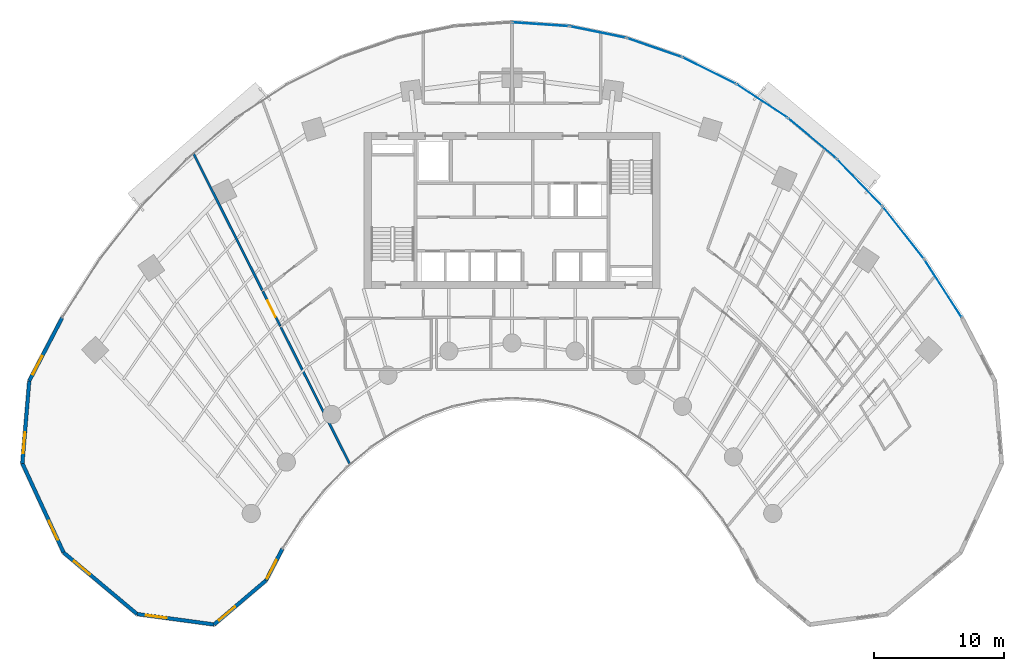
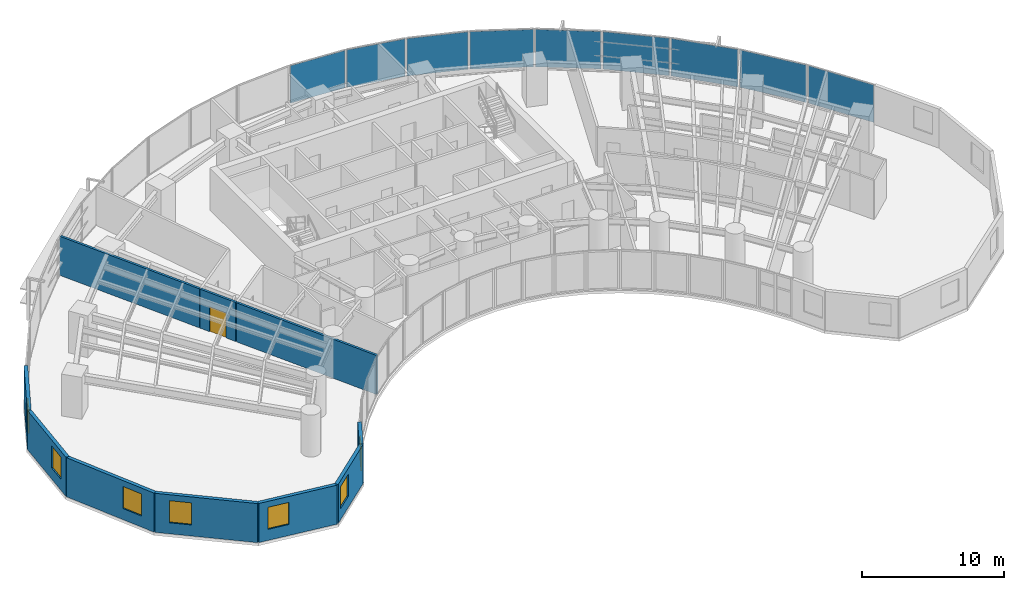
# One storey, part 10 of 17: 10 walls, 9 plates, 7 windows, 1 door, 8 openings, 9 elements without a shape of their own.
"""IFC4 building model written with IfcOpenShell, lengths in metres."""

import ifcopenshell
import ifcopenshell.guid

model = None  # the IFC model being written
_history = None  # IfcOwnerHistory: only IFC2X3 demands one
_inside = {}  # id of a spatial element -> (the spatial element, [elements in it])
_under = {}  # id of a project, library or spatial element -> (it, [spatial elements below it])
_declared = {}  # id of a project -> (the project, [libraries it declares])
_typed = {}  # id of a type object -> (the type object, [elements of that type])
_made_of = {}  # id of a material, layer set ... -> (it, [elements and type objects made of it])


def new_model(schema):
    """Start an empty IFC model of exactly this schema.

    Asked for "IFC4X3", IfcOpenShell would pick the latest addendum, in which some entities
    have other attributes; the version numbers below select the first issue.
    IFC2X3 requires an IfcOwnerHistory on every rooted entity: one is made here for all.
    """
    global model, _history
    if schema == "IFC4X3":
        model = ifcopenshell.file(schema_version=(4, 3, 0, 0))
    else:
        model = ifcopenshell.file(schema=schema)
    _inside.clear()
    _under.clear()
    _declared.clear()
    _typed.clear()
    _made_of.clear()
    _history = None
    if model.schema == "IFC2X3":
        org = make("IfcOrganization", Name="unknown")
        user = make(
            "IfcPersonAndOrganization",
            ThePerson=make("IfcPerson", FamilyName="unknown"),
            TheOrganization=org,
        )
        app = make(
            "IfcApplication",
            ApplicationDeveloper=org,
            Version="unknown",
            ApplicationFullName="unknown",
            ApplicationIdentifier="unknown",
        )
        _history = make(
            "IfcOwnerHistory",
            OwningUser=user,
            OwningApplication=app,
            ChangeAction="ADDED",
            CreationDate=0,
        )
    return model


def make(cls, **values):
    """One entity of the class cls with the attributes given. An attribute that is None is left unset."""
    return model.create_entity(
        cls, **{name: value for name, value in values.items() if value is not None}
    )


def rooted(cls, **values):
    """An entity with a GlobalId (a new one), such as an element, a storey or a relation."""
    return make(cls, GlobalId=ifcopenshell.guid.new(), OwnerHistory=_history, **values)


def si_unit(unit_type, name, prefix=None):
    """IfcSIUnit, for example si_unit("LENGTHUNIT", "METRE", prefix="MILLI")."""
    return make("IfcSIUnit", UnitType=unit_type, Prefix=prefix, Name=name)


def assignment(units):
    """IfcUnitAssignment: the units of a project."""
    return None if units is None else make("IfcUnitAssignment", Units=units)


def point(xyz):
    """IfcCartesianPoint."""
    return None if xyz is None else make("IfcCartesianPoint", Coordinates=xyz)


def direction(xyz):
    """IfcDirection."""
    return None if xyz is None else make("IfcDirection", DirectionRatios=xyz)


def frame(location, z_axis=None, x_axis=None):
    """IfcAxis2Placement3D, a coordinate frame: its origin and axes. An axis left out is left unset."""
    return make(
        "IfcAxis2Placement3D",
        Location=point(location),
        Axis=direction(z_axis),
        RefDirection=direction(x_axis),
    )


def frame_2d(location, x_axis=None):
    """IfcAxis2Placement2D, a coordinate frame in the plane: its origin and x axis."""
    return make(
        "IfcAxis2Placement2D", Location=point(location), RefDirection=direction(x_axis)
    )


def origin():
    """The frame at (0, 0, 0) with its axes left unset."""
    return frame((0.0, 0.0, 0.0))


def origin_2d():
    """The frame at (0, 0) in the plane with its x axis left unset."""
    return frame_2d((0.0, 0.0))


def place(relative_to, where):
    """IfcLocalPlacement: puts the frame where relative to a parent placement (None: the world)."""
    return make(
        "IfcLocalPlacement", PlacementRelTo=relative_to, RelativePlacement=where
    )


def context(
    kind, dimensions, precision=None, world=None, true_north=None, identifier=None
):
    """IfcGeometricRepresentationContext, for example the 3D "Model" context."""
    return make(
        "IfcGeometricRepresentationContext",
        ContextIdentifier=identifier,
        ContextType=kind,
        CoordinateSpaceDimension=dimensions,
        Precision=precision,
        WorldCoordinateSystem=world,
        TrueNorth=true_north,
    )


def subcontext(parent, identifier, kind, view, scale=None):
    """IfcGeometricRepresentationSubContext, for example "Body" below "Model"."""
    return make(
        "IfcGeometricRepresentationSubContext",
        ContextIdentifier=identifier,
        ContextType=kind,
        ParentContext=parent,
        TargetScale=scale,
        TargetView=view,
    )


def project(units=None, contexts=None):
    """IfcProject with its units and contexts."""
    return rooted(
        "IfcProject",
        Name="project",
        RepresentationContexts=contexts,
        UnitsInContext=assignment(units),
    )


def spatial(cls, under=None, at=None, **own):
    """A site, building, storey or space (cls), placed at a placement, below another one or the project."""
    s = rooted(cls, ObjectPlacement=at, **own)
    if under is not None:
        _under.setdefault(under.id(), (under, []))[1].append(s)
    return s


def profile(cls, at=None, kind="AREA", **sizes):
    """A parametric profile (cls). Its sizes go by their IFC names, for example OverallWidth=200.0."""
    return make(cls, ProfileType=kind, Position=at, **sizes)


def rectangle(**sizes):
    """IfcRectangleProfileDef."""
    return profile("IfcRectangleProfileDef", **sizes)


def extrude(swept, where, along, depth):
    """IfcExtrudedAreaSolid: the profile swept, set in the frame where, extruded along a direction by depth."""
    return make(
        "IfcExtrudedAreaSolid",
        SweptArea=swept,
        Position=where,
        ExtrudedDirection=direction(along),
        Depth=depth,
    )


def shape(context_of_items, identifier, shape_type, items):
    """IfcShapeRepresentation: the items that make up one representation, for example the "Body"."""
    return make(
        "IfcShapeRepresentation",
        ContextOfItems=context_of_items,
        RepresentationIdentifier=identifier,
        RepresentationType=shape_type,
        Items=items,
    )


def source(mapping_origin, context_of_items, identifier, shape_type, items):
    """IfcRepresentationMap: a shape defined once, which mapped items show again and again."""
    return make(
        "IfcRepresentationMap",
        MappingOrigin=mapping_origin,
        MappedRepresentation=shape(context_of_items, identifier, shape_type, items),
    )


def transform(
    local_origin,
    x_axis=None,
    y_axis=None,
    z_axis=None,
    scale=None,
    scale2=None,
    scale3=None,
    uniform=True,
):
    """IfcCartesianTransformationOperator3D, or its non-uniform kind. x_axis, y_axis, z_axis: its Axis1, 2, 3."""
    if uniform:
        return make(
            "IfcCartesianTransformationOperator3D",
            Axis1=direction(x_axis),
            Axis2=direction(y_axis),
            LocalOrigin=point(local_origin),
            Scale=scale,
            Axis3=direction(z_axis),
        )
    return make(
        "IfcCartesianTransformationOperator3DnonUniform",
        Axis1=direction(x_axis),
        Axis2=direction(y_axis),
        LocalOrigin=point(local_origin),
        Scale=scale,
        Axis3=direction(z_axis),
        Scale2=scale2,
        Scale3=scale3,
    )


def mapped(mapping_source, mapping_target):
    """IfcMappedItem: shows the shape of a source again, moved by a transform."""
    return make(
        "IfcMappedItem", MappingSource=mapping_source, MappingTarget=mapping_target
    )


def material(Name=None, Category=None):
    """IfcMaterial."""
    return make("IfcMaterial", Name=Name, Category=Category)


def layer(
    of_material, thickness, ventilated=None, Name=None, Category=None, Priority=None
):
    """IfcMaterialLayer: one layer of a wall or slab, of a material (None: an air gap)."""
    return make(
        "IfcMaterialLayer",
        Material=of_material,
        LayerThickness=thickness,
        IsVentilated=ventilated,
        Name=Name,
        Category=Category,
        Priority=Priority,
    )


def layer_set(layers, Name=None):
    """IfcMaterialLayerSet."""
    return make("IfcMaterialLayerSet", MaterialLayers=layers, LayerSetName=Name)


def made_of(thing, what):
    """Note that an element or type object is made of a material, layer set ...; save() writes the relation."""
    if what is not None:
        _made_of.setdefault(what.id(), (what, []))[1].append(thing)
    return thing


def type_object(cls, material=None, **own):
    """A type object (cls), such as IfcWallType, which elements share."""
    return made_of(rooted(cls, **own), material)


def type_shapes(of_type, sources):
    """Give a type object the sources (RepresentationMaps) that its elements show as mapped items."""
    of_type.RepresentationMaps = sources


def element(
    cls,
    number,
    at=None,
    inside=None,
    cuts=None,
    type_object=None,
    material=None,
    context=None,
    identifier="Body",
    shape_type=None,
    held_by="IfcProductDefinitionShape",
    body=None,
    shapes=None,
    **own,
):
    """One element of the class cls, such as IfcWall. Its Tag is "e" and its number.

    at: its placement. inside: the storey or other place that contains it. cuts: it is an
    opening in that element (IfcRelVoidsElement). A single representation is given by context,
    identifier, shape_type and body (its items); several are given by shapes. held_by: the class
    of the entity that holds the representations. save() writes the other relations.
    """
    e = rooted(cls, Tag="e%d" % number, ObjectPlacement=at, **own)
    if body is not None:
        shapes = [shape(context, identifier, shape_type, body)]
    if shapes is not None:
        e.Representation = make(held_by, Representations=shapes)
    if inside is not None:
        _inside.setdefault(inside.id(), (inside, []))[1].append(e)
    if cuts is not None:
        rooted(
            "IfcRelVoidsElement", RelatingBuildingElement=cuts, RelatedOpeningElement=e
        )
    if type_object is not None:
        _typed.setdefault(type_object.id(), (type_object, []))[1].append(e)
    return made_of(e, material)


def fill(opening, filler):
    """IfcRelFillsElement: the door or window that sits in an opening."""
    return rooted(
        "IfcRelFillsElement",
        RelatingOpeningElement=opening,
        RelatedBuildingElement=filler,
    )


def aggregate(whole, parts):
    """IfcRelAggregates: a whole, such as a stair, and the parts it consists of."""
    return rooted("IfcRelAggregates", RelatingObject=whole, RelatedObjects=parts)


def save(model, path):
    """Write the relations noted so far, then the file.

    IfcRelAggregates (storeys below a building ...), IfcRelContainedInSpatialStructure (elements
    in a storey), IfcRelDefinesByType, IfcRelAssociatesMaterial and IfcRelDeclares: one each for
    every whole, place, type object, material and project.
    """
    for whole, parts in _under.values():
        aggregate(whole, parts)
    for where, things in _inside.values():
        rooted(
            "IfcRelContainedInSpatialStructure",
            RelatedElements=things,
            RelatingStructure=where,
        )
    for kind, things in _typed.values():
        rooted("IfcRelDefinesByType", RelatedObjects=things, RelatingType=kind)
    for what, things in _made_of.values():
        rooted("IfcRelAssociatesMaterial", RelatedObjects=things, RelatingMaterial=what)
    for by, libraries in _declared.values():
        rooted("IfcRelDeclares", RelatingContext=by, RelatedDefinitions=libraries)
    model.write(path)


model = new_model("IFC4")

# Units and contexts
model_context = context("Model", 3, precision=1e-05, world=origin(), true_north=direction((0.0, 1.0)))
body_context = subcontext(model_context, "Body", "Model", "MODEL_VIEW")
ifc_project = project(units=[si_unit("LENGTHUNIT", "METRE"), si_unit("AREAUNIT", "SQUARE_METRE"), si_unit("VOLUMEUNIT", "CUBIC_METRE"), si_unit("PLANEANGLEUNIT", "RADIAN"), si_unit("MASSUNIT", "GRAM", prefix="KILO")], contexts=[model_context])

# Site, building, storey
site_placement = place(None, origin())
site = spatial("IfcSite", under=ifc_project, at=site_placement, CompositionType="ELEMENT")
building_placement = place(site_placement, origin())
building = spatial("IfcBuilding", under=site, at=building_placement, Name="Breltana Convention Tower", CompositionType="ELEMENT")
storey_placement = place(building_placement, frame((0.0, 0.0, 57.0)))
storey = spatial("IfcBuildingStorey", under=building, at=storey_placement, Name="L12", CompositionType="ELEMENT", Elevation=57.0)

# Curtain wall, plate
ifc_material_1 = material(Name="Aluminium Anodised Bronze Frame", Category="aluminium")
ifc_layer_1 = layer(ifc_material_1, 0.199951171875, Name="Aluminium Anodised Bronze Frame")
ifc_layer_set_1 = layer_set([ifc_layer_1], Name="Aluminium Anodised Bronze Frame")
curtain_wall_type = type_object("IfcCurtainWallType", Name="CW-SYS-2", PredefinedType="NOTDEFINED", material=ifc_layer_set_1)
curtain_wall_1_placement = place(storey_placement, origin())
curtain_wall_1 = element("IfcCurtainWall", 1, at=curtain_wall_1_placement, inside=storey, type_object=curtain_wall_type, Name="L12 outer double-skin inner glazing 17", PredefinedType="NOTDEFINED")
ifc_material_2 = material(Name="Glass Low-E Double Glazing", Category="glass")
ifc_layer_2 = layer(ifc_material_2, 0.031982421875, Name="Glass Low-E Double Glazing")
ifc_layer_set_2 = layer_set([ifc_layer_2], Name="Glass Low-E Double Glazing")
plate_type = type_object("IfcPlateType", Name="CWP-IGU-32", PredefinedType="CURTAIN_PANEL", material=ifc_layer_set_2)
shared_shape_1 = source(origin(), body_context, "Body", "SweptSolid", [
    extrude(rectangle(XDim=5.0546875, YDim=0.031982421875, at=origin_2d()), origin(), (0.0, 0.0, 1.0), 3.219970703125),
])
plate_1_placement = place(storey_placement, frame((78.038818359375, 64.504638671875, 0.06982421875), z_axis=(0.0, 0.0, 1.0), x_axis=(0.618153917633, -0.786057080698, 0.0)))
plate_1 = element("IfcPlate", 2, at=plate_1_placement, type_object=plate_type, Name="CW-02 panel 1.1", PredefinedType="CURTAIN_PANEL", context=body_context, shape_type="MappedRepresentation", body=[
    mapped(shared_shape_1, transform((0.0, 0.0, 0.0), scale=1.0)),
])
aggregate(curtain_wall_1, [plate_1])

curtain_wall_2_placement = place(storey_placement, origin())
curtain_wall_2 = element("IfcCurtainWall", 3, at=curtain_wall_2_placement, inside=storey, type_object=curtain_wall_type, Name="L12 outer double-skin inner glazing 16", PredefinedType="NOTDEFINED")
shared_shape_2 = source(origin(), body_context, "Body", "SweptSolid", [
    extrude(rectangle(XDim=4.901123046875, YDim=0.031982421875, at=origin_2d()), origin(), (0.0, 0.0, 1.0), 3.219970703125),
])
plate_2_placement = place(storey_placement, frame((74.682373046875, 68.359619140625, 0.06982421875), z_axis=(0.0, 0.0, 1.0), x_axis=(0.694610090106, -0.719386421003, 0.0)))
plate_2 = element("IfcPlate", 4, at=plate_2_placement, type_object=plate_type, Name="CW-02 panel 1.1", PredefinedType="CURTAIN_PANEL", context=body_context, shape_type="MappedRepresentation", body=[
    mapped(shared_shape_2, transform((0.0, 0.0, 0.0), scale=1.0)),
])
aggregate(curtain_wall_2, [plate_2])

curtain_wall_3_placement = place(storey_placement, origin())
curtain_wall_3 = element("IfcCurtainWall", 5, at=curtain_wall_3_placement, inside=storey, type_object=curtain_wall_type, Name="L12 outer double-skin inner glazing 15", PredefinedType="NOTDEFINED")
shared_shape_3 = source(origin(), body_context, "Body", "SweptSolid", [
    extrude(rectangle(XDim=4.7509765625, YDim=0.031982421875, at=origin_2d()), origin(), (0.0, 0.0, 1.0), 3.219970703125),
])
plate_3_placement = place(storey_placement, frame((71.0537109375, 71.7392578125, 0.06982421875), z_axis=(0.0, 0.0, 1.0), x_axis=(0.767941326958, -0.640520193554, 0.0)))
plate_3 = element("IfcPlate", 6, at=plate_3_placement, type_object=plate_type, Name="CW-02 panel 1.1", PredefinedType="CURTAIN_PANEL", context=body_context, shape_type="MappedRepresentation", body=[
    mapped(shared_shape_3, transform((0.0, 0.0, 0.0), scale=1.0)),
])
aggregate(curtain_wall_3, [plate_3])

curtain_wall_4_placement = place(storey_placement, origin())
curtain_wall_4 = element("IfcCurtainWall", 7, at=curtain_wall_4_placement, inside=storey, type_object=curtain_wall_type, Name="L12 outer double-skin inner glazing 14", PredefinedType="NOTDEFINED")
shared_shape_4 = source(origin(), body_context, "Body", "SweptSolid", [
    extrude(rectangle(XDim=4.610595703125, YDim=0.031982421875, at=origin_2d()), origin(), (0.0, 0.0, 1.0), 3.219970703125),
])
plate_4_placement = place(storey_placement, frame((67.18994140625, 74.609130859375, 0.06982421875), z_axis=(0.0, 0.0, 1.0), x_axis=(0.83596401875, -0.548784255746, 0.0)))
plate_4 = element("IfcPlate", 8, at=plate_4_placement, type_object=plate_type, Name="CW-02 panel 1.1", PredefinedType="CURTAIN_PANEL", context=body_context, shape_type="MappedRepresentation", body=[
    mapped(shared_shape_4, transform((0.0, 0.0, 0.0), scale=1.0)),
])
aggregate(curtain_wall_4, [plate_4])

curtain_wall_5_placement = place(storey_placement, origin())
curtain_wall_5 = element("IfcCurtainWall", 9, at=curtain_wall_5_placement, inside=storey, type_object=curtain_wall_type, Name="L12 outer double-skin inner glazing 13", PredefinedType="NOTDEFINED")
shared_shape_5 = source(origin(), body_context, "Body", "SweptSolid", [
    extrude(rectangle(XDim=4.487548828125, YDim=0.031982421875, at=origin_2d()), origin(), (0.0, 0.0, 1.0), 3.219970703125),
])
plate_5_placement = place(storey_placement, frame((63.13134765625, 76.940185546875, 0.06982421875), z_axis=(0.0, 0.0, 1.0), x_axis=(0.895973407804, -0.444107703726, 0.0)))
plate_5 = element("IfcPlate", 10, at=plate_5_placement, type_object=plate_type, Name="CW-02 panel 1.1", PredefinedType="CURTAIN_PANEL", context=body_context, shape_type="MappedRepresentation", body=[
    mapped(shared_shape_5, transform((0.0, 0.0, 0.0), scale=1.0)),
])
aggregate(curtain_wall_5, [plate_5])

curtain_wall_6_placement = place(storey_placement, origin())
curtain_wall_6 = element("IfcCurtainWall", 11, at=curtain_wall_6_placement, inside=storey, type_object=curtain_wall_type, Name="L12 outer double-skin inner glazing 12", PredefinedType="NOTDEFINED")
shared_shape_6 = source(origin(), body_context, "Body", "SweptSolid", [
    extrude(rectangle(XDim=4.388427734375, YDim=0.031982421875, at=origin_2d()), origin(), (0.0, 0.0, 1.0), 3.219970703125),
])
plate_6_placement = place(storey_placement, frame((58.9189453125, 78.709228515625, 0.06982421875), z_axis=(0.0, 0.0, 1.0), x_axis=(0.944876012163, -0.32742834581, 0.0)))
plate_6 = element("IfcPlate", 12, at=plate_6_placement, type_object=plate_type, Name="CW-02 panel 1.1", PredefinedType="CURTAIN_PANEL", context=body_context, shape_type="MappedRepresentation", body=[
    mapped(shared_shape_6, transform((0.0, 0.0, 0.0), scale=1.0)),
])
aggregate(curtain_wall_6, [plate_6])

curtain_wall_7_placement = place(storey_placement, origin())
curtain_wall_7 = element("IfcCurtainWall", 13, at=curtain_wall_7_placement, inside=storey, type_object=curtain_wall_type, Name="L12 outer double-skin inner glazing 11", PredefinedType="NOTDEFINED")
shared_shape_7 = source(origin(), body_context, "Body", "SweptSolid", [
    extrude(rectangle(XDim=4.318359375, YDim=0.031982421875, at=origin_2d()), origin(), (0.0, 0.0, 1.0), 3.219970703125),
])
plate_7_placement = place(storey_placement, frame((54.595703125, 79.898193359375, 0.06982421875), z_axis=(0.0, 0.0, 1.0), x_axis=(0.979614925743, -0.200884537139, 0.0)))
plate_7 = element("IfcPlate", 14, at=plate_7_placement, type_object=plate_type, Name="CW-02 panel 1.1", PredefinedType="CURTAIN_PANEL", context=body_context, shape_type="MappedRepresentation", body=[
    mapped(shared_shape_7, transform((0.0, 0.0, 0.0), scale=1.0)),
])
aggregate(curtain_wall_7, [plate_7])

curtain_wall_8_placement = place(storey_placement, origin())
curtain_wall_8 = element("IfcCurtainWall", 15, at=curtain_wall_8_placement, inside=storey, type_object=curtain_wall_type, Name="L12 outer double-skin inner glazing 10", PredefinedType="NOTDEFINED")
shared_shape_8 = source(origin(), body_context, "Body", "SweptSolid", [
    extrude(rectangle(XDim=4.2822265625, YDim=0.031982421875, at=origin_2d()), origin(), (0.0, 0.0, 1.0), 3.219970703125),
])
plate_8_placement = place(storey_placement, frame((50.2060546875, 80.495849609375, 0.06982421875), z_axis=(0.0, 0.0, 1.0), x_axis=(0.997703982282, -0.067725650529, 0.0)))
plate_8 = element("IfcPlate", 16, at=plate_8_placement, type_object=plate_type, Name="CW-02 panel 1.1", PredefinedType="CURTAIN_PANEL", context=body_context, shape_type="MappedRepresentation", body=[
    mapped(shared_shape_8, transform((0.0, 0.0, 0.0), scale=1.0)),
])
aggregate(curtain_wall_8, [plate_8])

curtain_wall_9_placement = place(storey_placement, origin())
curtain_wall_9 = element("IfcCurtainWall", 17, at=curtain_wall_9_placement, inside=storey, type_object=curtain_wall_type, Name="L12 outer double-skin inner glazing 18", PredefinedType="NOTDEFINED")
shared_shape_9 = source(origin(), body_context, "Body", "SweptSolid", [
    extrude(rectangle(XDim=5.20556640625, YDim=0.031982421875, at=origin_2d()), origin(), (0.0, 0.0, 1.0), 3.219970703125),
])
plate_9_placement = place(storey_placement, frame((81.088134765625, 60.2138671875, 0.06982421875), z_axis=(0.0, 0.0, 1.0), x_axis=(0.540180724109, -0.841549039154, 0.0)))
plate_9 = element("IfcPlate", 18, at=plate_9_placement, type_object=plate_type, Name="CW-02 panel 1.1", PredefinedType="CURTAIN_PANEL", context=body_context, shape_type="MappedRepresentation", body=[
    mapped(shared_shape_9, transform((0.0, 0.0, 0.0), scale=1.0)),
])
aggregate(curtain_wall_9, [plate_9])

# Wall, opening, window
ifc_material_3 = material(Name="Limestone Buff Insulated Wall", Category="masonry")
ifc_layer_3 = layer(ifc_material_3, 0.280029296875, Name="Limestone Buff Insulated Wall")
ifc_layer_set_3 = layer_set([ifc_layer_3], Name="Limestone Buff Insulated Wall")
wall_type_1 = type_object("IfcWallType", Name="WL-EXT-NOSE-280", PredefinedType="SOLIDWALL", material=ifc_layer_set_3)
shared_shape_10 = source(origin(), body_context, "Body", "SweptSolid", [
    extrude(rectangle(XDim=6.3525390625, YDim=0.280029296875, at=frame_2d((3.17626953125, 0.0))), origin(), (0.0, 0.0, 1.0), 3.360107421875),
])
wall_1_placement = place(storey_placement, frame((10.417724609375, 46.79150390625, 0.0), z_axis=(0.0, 0.0, 1.0), x_axis=(0.083319001377, 0.996522926986, 0.0)))
wall_1 = element("IfcWall", 19, at=wall_1_placement, inside=storey, type_object=wall_type_1, Name="L12 curved limestone nose wall W6", PredefinedType="SOLIDWALL", context=body_context, shape_type="MappedRepresentation", body=[
    mapped(shared_shape_10, transform((0.0, 0.0, 0.0), scale=1.0)),
])
opening_1_placement = place(wall_1_placement, frame((0.7880859375, 0.0, 0.949951171875)))
opening_1 = element("IfcOpeningElement", 20, at=opening_1_placement, cuts=wall_1, Name="Opening W-04", PredefinedType="OPENING", context=body_context, shape_type="SweptSolid", body=[
    extrude(rectangle(XDim=1.60009765625, YDim=1.89990234375, at=frame_2d((0.800048828125, 0.949951171875))), frame((0.0, 0.14990234375, 0.0), z_axis=(0.0, -1.0, 0.0), x_axis=(1.0, 0.0, 0.0)), (0.0, 0.0, 1.0), 0.300048828125),
])
ifc_material_4 = material(Name="Glass Low-E Insulated Window", Category="glass")
window_type = type_object("IfcWindowType", Name="WN-NOSE-1600X1900", PartitioningType="SINGLE_PANEL", PredefinedType="WINDOW", material=ifc_material_4)
shared_shape_11 = source(origin(), body_context, "Body", "SweptSolid", [
    extrude(rectangle(XDim=1.60009765625, YDim=1.89990234375, at=frame_2d((0.800048828125, 0.949951171875))), frame((0.0, 0.030029296875, 0.0), z_axis=(0.0, -1.0, 0.0), x_axis=(1.0, 0.0, 0.0)), (0.0, 0.0, 1.0), 0.06005859375),
])
type_shapes(window_type, [shared_shape_11])
window_1_placement = place(opening_1_placement, origin())
window_1 = element("IfcWindow", 21, at=window_1_placement, inside=storey, type_object=window_type, Name="L12 nose window W6", OverallHeight=1.89990234375, OverallWidth=1.60009765625, PartitioningType="SINGLE_PANEL", PredefinedType="WINDOW", context=body_context, shape_type="MappedRepresentation", body=[
    mapped(shared_shape_11, transform((0.0, 0.0, 0.0), scale=1.0)),
])
fill(opening_1, window_1)

shared_shape_12 = source(origin(), body_context, "Body", "SweptSolid", [
    extrude(rectangle(XDim=7.536376953125, YDim=0.280029296875, at=frame_2d((3.76806640625, 0.0))), origin(), (0.0, 0.0, 1.0), 3.360107421875),
])
wall_2_placement = place(storey_placement, frame((13.580322265625, 39.950927734375, 0.0), z_axis=(0.0, 0.0, 1.0), x_axis=(-0.41964973873, 0.907686122393, 0.0)))
wall_2 = element("IfcWall", 22, at=wall_2_placement, inside=storey, type_object=wall_type_1, Name="L12 curved limestone nose wall W5", PredefinedType="SOLIDWALL", context=body_context, shape_type="MappedRepresentation", body=[
    mapped(shared_shape_12, transform((0.0, 0.0, 0.0), scale=1.0)),
])
opening_2_placement = place(wall_2_placement, frame((1.083984375, 0.0, 0.949951171875)))
opening_2 = element("IfcOpeningElement", 23, at=opening_2_placement, cuts=wall_2, Name="Opening W-04", PredefinedType="OPENING", context=body_context, shape_type="SweptSolid", body=[
    extrude(rectangle(XDim=1.60009765625, YDim=1.89990234375, at=frame_2d((0.800048828125, 0.949951171875))), frame((0.0, 0.14990234375, 0.0), z_axis=(0.0, -1.0, 0.0), x_axis=(1.0, 0.0, 0.0)), (0.0, 0.0, 1.0), 0.300048828125),
])
window_2_placement = place(opening_2_placement, origin())
window_2 = element("IfcWindow", 24, at=window_2_placement, inside=storey, type_object=window_type, Name="L12 nose window W5", OverallHeight=1.89990234375, OverallWidth=1.60009765625, PartitioningType="SINGLE_PANEL", PredefinedType="WINDOW", context=body_context, shape_type="MappedRepresentation", body=[
    mapped(shared_shape_11, transform((0.0, 0.0, 0.0), scale=1.0)),
])
fill(opening_2, window_2)

shared_shape_13 = source(origin(), body_context, "Body", "SweptSolid", [
    extrude(rectangle(XDim=7.35888671875, YDim=0.280029296875, at=frame_2d((3.679443359375, 0.0))), origin(), (0.0, 0.0, 1.0), 3.360107421875),
])
wall_3_placement = place(storey_placement, frame((19.22265625, 35.226806640625, 0.0), z_axis=(0.0, 0.0, 1.0), x_axis=(-0.766737165543, 0.641961150675, 0.0)))
wall_3 = element("IfcWall", 25, at=wall_3_placement, inside=storey, type_object=wall_type_1, Name="L12 curved limestone nose wall W4", PredefinedType="SOLIDWALL", context=body_context, shape_type="MappedRepresentation", body=[
    mapped(shared_shape_13, transform((0.0, 0.0, 0.0), scale=1.0)),
])
opening_3_placement = place(wall_3_placement, frame((4.71923828125, 0.0, 0.949951171875)))
opening_3 = element("IfcOpeningElement", 26, at=opening_3_placement, cuts=wall_3, Name="Opening W-04", PredefinedType="OPENING", context=body_context, shape_type="SweptSolid", body=[
    extrude(rectangle(XDim=1.60009765625, YDim=1.89990234375, at=frame_2d((0.800048828125, 0.949951171875))), frame((0.0, 0.14990234375, 0.0), z_axis=(0.0, -1.0, 0.0), x_axis=(1.0, 0.0, 0.0)), (0.0, 0.0, 1.0), 0.300048828125),
])
window_3_placement = place(opening_3_placement, origin())
window_3 = element("IfcWindow", 27, at=window_3_placement, inside=storey, type_object=window_type, Name="L12 nose window W4", OverallHeight=1.89990234375, OverallWidth=1.60009765625, PartitioningType="SINGLE_PANEL", PredefinedType="WINDOW", context=body_context, shape_type="MappedRepresentation", body=[
    mapped(shared_shape_11, transform((0.0, 0.0, 0.0), scale=1.0)),
])
fill(opening_3, window_3)

shared_shape_14 = source(origin(), body_context, "Body", "SweptSolid", [
    extrude(rectangle(XDim=5.96728515625, YDim=0.280029296875, at=frame_2d((2.983642578125, 0.0))), origin(), (0.0, 0.0, 1.0), 3.360107421875),
])
wall_4_placement = place(storey_placement, frame((25.1357421875, 34.4248046875, 0.0), z_axis=(0.0, 0.0, 1.0), x_axis=(-0.990927009341, 0.134401124099, 0.0)))
wall_4 = element("IfcWall", 28, at=wall_4_placement, inside=storey, type_object=wall_type_1, Name="L12 curved limestone nose wall W3", PredefinedType="SOLIDWALL", context=body_context, shape_type="MappedRepresentation", body=[
    mapped(shared_shape_14, transform((0.0, 0.0, 0.0), scale=1.0)),
])
opening_4_placement = place(wall_4_placement, frame((3.675537109375, 0.0, 0.949951171875)))
opening_4 = element("IfcOpeningElement", 29, at=opening_4_placement, cuts=wall_4, Name="Opening W-04", PredefinedType="OPENING", context=body_context, shape_type="SweptSolid", body=[
    extrude(rectangle(XDim=1.60009765625, YDim=1.89990234375, at=frame_2d((0.800048828125, 0.949951171875))), frame((0.0, 0.14990234375, 0.0), z_axis=(0.0, -1.0, 0.0), x_axis=(1.0, 0.0, 0.0)), (0.0, 0.0, 1.0), 0.300048828125),
])
window_4_placement = place(opening_4_placement, origin())
window_4 = element("IfcWindow", 30, at=window_4_placement, inside=storey, type_object=window_type, Name="L12 nose window W3", OverallHeight=1.89990234375, OverallWidth=1.60009765625, PartitioningType="SINGLE_PANEL", PredefinedType="WINDOW", context=body_context, shape_type="MappedRepresentation", body=[
    mapped(shared_shape_11, transform((0.0, 0.0, 0.0), scale=1.0)),
])
fill(opening_4, window_4)

shared_shape_15 = source(origin(), body_context, "Body", "SweptSolid", [
    extrude(rectangle(XDim=5.222412109375, YDim=0.280029296875, at=frame_2d((2.611328125, 0.0))), origin(), (0.0, 0.0, 1.0), 3.360107421875),
])
wall_5_placement = place(storey_placement, frame((29.11474609375, 37.807373046875, 0.0), z_axis=(0.0, 0.0, 1.0), x_axis=(-0.761900099546, -0.647694556339, 0.0)))
wall_5 = element("IfcWall", 31, at=wall_5_placement, inside=storey, type_object=wall_type_1, Name="L12 curved limestone nose wall W2", PredefinedType="SOLIDWALL", context=body_context, shape_type="MappedRepresentation", body=[
    mapped(shared_shape_15, transform((0.0, 0.0, 0.0), scale=1.0)),
])
opening_5_placement = place(wall_5_placement, frame((3.11669921875, 0.0, 0.949951171875)))
opening_5 = element("IfcOpeningElement", 32, at=opening_5_placement, cuts=wall_5, Name="Opening W-04", PredefinedType="OPENING", context=body_context, shape_type="SweptSolid", body=[
    extrude(rectangle(XDim=1.60009765625, YDim=1.89990234375, at=frame_2d((0.800048828125, 0.949951171875))), frame((0.0, 0.14990234375, 0.0), z_axis=(0.0, -1.0, 0.0), x_axis=(1.0, 0.0, 0.0)), (0.0, 0.0, 1.0), 0.300048828125),
])
window_5_placement = place(opening_5_placement, origin())
window_5 = element("IfcWindow", 33, at=window_5_placement, inside=storey, type_object=window_type, Name="L12 nose window W2", OverallHeight=1.89990234375, OverallWidth=1.60009765625, PartitioningType="SINGLE_PANEL", PredefinedType="WINDOW", context=body_context, shape_type="MappedRepresentation", body=[
    mapped(shared_shape_11, transform((0.0, 0.0, 0.0), scale=1.0)),
])
fill(opening_5, window_5)

shared_shape_16 = source(origin(), body_context, "Body", "SweptSolid", [
    extrude(rectangle(XDim=2.7353515625, YDim=0.280029296875, at=frame_2d((1.36767578125, 0.0))), origin(), (0.0, 0.0, 1.0), 3.360107421875),
])
wall_6_placement = place(storey_placement, frame((30.3779296875, 40.233642578125, 0.0), z_axis=(0.0, 0.0, 1.0), x_axis=(-0.46179107292, -0.886988728774, 0.0)))
wall_6 = element("IfcWall", 34, at=wall_6_placement, inside=storey, type_object=wall_type_1, Name="L12 curved limestone nose wall W1", PredefinedType="SOLIDWALL", context=body_context, shape_type="MappedRepresentation", body=[
    mapped(shared_shape_16, transform((0.0, 0.0, 0.0), scale=1.0)),
])
opening_6_placement = place(wall_6_placement, frame((0.9755859375, 0.0, 0.949951171875)))
opening_6 = element("IfcOpeningElement", 35, at=opening_6_placement, cuts=wall_6, Name="Opening W-04", PredefinedType="OPENING", context=body_context, shape_type="SweptSolid", body=[
    extrude(rectangle(XDim=1.60009765625, YDim=1.89990234375, at=frame_2d((0.800048828125, 0.949951171875))), frame((0.0, 0.14990234375, 0.0), z_axis=(0.0, -1.0, 0.0), x_axis=(1.0, 0.0, 0.0)), (0.0, 0.0, 1.0), 0.300048828125),
])
window_6_placement = place(opening_6_placement, origin())
window_6 = element("IfcWindow", 36, at=window_6_placement, inside=storey, type_object=window_type, Name="L12 nose window W1", OverallHeight=1.89990234375, OverallWidth=1.60009765625, PartitioningType="SINGLE_PANEL", PredefinedType="WINDOW", context=body_context, shape_type="MappedRepresentation", body=[
    mapped(shared_shape_11, transform((0.0, 0.0, 0.0), scale=1.0)),
])
fill(opening_6, window_6)

shared_shape_17 = source(origin(), body_context, "Body", "SweptSolid", [
    extrude(rectangle(XDim=5.45947265625, YDim=0.280029296875, at=frame_2d((2.729736328125, 0.0))), origin(), (0.0, 0.0, 1.0), 3.360107421875),
])
wall_7_placement = place(storey_placement, frame((10.947021484375, 53.1220703125, 0.0), z_axis=(0.0, 0.0, 1.0), x_axis=(0.461768054321, 0.887000712518, 0.0)))
wall_7 = element("IfcWall", 37, at=wall_7_placement, inside=storey, type_object=wall_type_1, Name="L12 curved limestone nose wall W7", PredefinedType="SOLIDWALL", context=body_context, shape_type="MappedRepresentation", body=[
    mapped(shared_shape_17, transform((0.0, 0.0, 0.0), scale=1.0)),
])
opening_7_placement = place(wall_7_placement, frame((0.56494140625, 0.0, 0.949951171875)))
opening_7 = element("IfcOpeningElement", 38, at=opening_7_placement, cuts=wall_7, Name="Opening W-04", PredefinedType="OPENING", context=body_context, shape_type="SweptSolid", body=[
    extrude(rectangle(XDim=1.60009765625, YDim=1.89990234375, at=frame_2d((0.800048828125, 0.949951171875))), frame((0.0, 0.14990234375, 0.0), z_axis=(0.0, -1.0, 0.0), x_axis=(1.0, 0.0, 0.0)), (0.0, 0.0, 1.0), 0.300048828125),
])
window_7_placement = place(opening_7_placement, origin())
window_7 = element("IfcWindow", 39, at=window_7_placement, inside=storey, type_object=window_type, Name="L12 nose window W7", OverallHeight=1.89990234375, OverallWidth=1.60009765625, PartitioningType="SINGLE_PANEL", PredefinedType="WINDOW", context=body_context, shape_type="MappedRepresentation", body=[
    mapped(shared_shape_11, transform((0.0, 0.0, 0.0), scale=1.0)),
])
fill(opening_7, window_7)

# Wall, opening, door
ifc_material_5 = material(Name="Moisture-Resistant Gypsum Chase Wall")
ifc_layer_4 = layer(ifc_material_5, 0.179931640625, Name="Moisture-Resistant Gypsum Chase Wall")
ifc_layer_set_4 = layer_set([ifc_layer_4], Name="Moisture-Resistant Gypsum Chase Wall")
wall_type_2 = type_object("IfcWallType", Name="WL-PLUMB-180", PredefinedType="PLUMBINGWALL", material=ifc_layer_set_4)
shared_shape_18 = source(origin(), body_context, "Body", "SweptSolid", [
    extrude(rectangle(XDim=2.985107421875, YDim=0.179931640625, at=frame_2d((1.49267578125, 0.0))), origin(), (0.0, 0.0, 1.0), 3.360107421875),
])
wall_8_placement = place(storey_placement, frame((30.2177734375, 57.326904296875, 0.0), z_axis=(0.0, 0.0, 1.0), x_axis=(-0.449665526069, 0.893197018952, 0.0)))
wall_8 = element("IfcWall", 40, at=wall_8_placement, inside=storey, type_object=wall_type_2, Name="L12 interior partition W-L12-SPAW-ENT", PredefinedType="PLUMBINGWALL", context=body_context, shape_type="MappedRepresentation", body=[
    mapped(shared_shape_18, transform((0.0, 0.0, 0.0), scale=1.0)),
])
opening_8_placement = place(wall_8_placement, frame((0.79248046875, 0.0, 0.0)))
opening_8 = element("IfcOpeningElement", 41, at=opening_8_placement, cuts=wall_8, Name="Opening D-05", PredefinedType="OPENING", context=body_context, shape_type="SweptSolid", body=[
    extrude(rectangle(XDim=1.39990234375, YDim=2.14990234375, at=frame_2d((0.699951171875, 1.074951171875))), frame((0.0, 0.10009765625, 0.0), z_axis=(0.0, -1.0, 0.0), x_axis=(1.0, 0.0, 0.0)), (0.0, 0.0, 1.0), 0.199951171875),
])
ifc_material_6 = material(Name="Timber Veneer Glazed Double Door", Category="wood")
door_type = type_object("IfcDoorType", Name="DR-DBL-1400", OperationType="DOUBLE_DOOR_SINGLE_SWING", PredefinedType="DOOR", material=ifc_material_6)
shared_shape_19 = source(origin(), body_context, "Body", "SweptSolid", [
    extrude(rectangle(XDim=1.39990234375, YDim=2.14990234375, at=frame_2d((0.699951171875, 1.074951171875))), frame((0.0, 0.02490234375, 0.0), z_axis=(0.0, -1.0, 0.0), x_axis=(1.0, 0.0, 0.0)), (0.0, 0.0, 1.0), 0.050048828125),
])
type_shapes(door_type, [shared_shape_19])
door_placement = place(opening_8_placement, origin())
door = element("IfcDoor", 42, at=door_placement, inside=storey, type_object=door_type, Name="L12 interior door D-L12-SPAW", OperationType="SINGLE_SWING_LEFT", OverallHeight=2.14990234375, OverallWidth=1.39990234375, PredefinedType="DOOR", context=body_context, shape_type="MappedRepresentation", body=[
    mapped(shared_shape_19, transform((0.0, 0.0, 0.0), scale=1.0)),
])
fill(opening_8, door)

# Walls
shared_shape_20 = source(origin(), body_context, "Body", "SweptSolid", [
    extrude(rectangle(XDim=11.760986328125, YDim=0.179931640625, at=frame_2d((5.88037109375, 0.0))), origin(), (0.0, 0.0, 1.0), 3.360107421875),
])
wall_9_placement = place(storey_placement, frame((28.842041015625, 60.059814453125, 0.0), z_axis=(0.0, 0.0, 1.0), x_axis=(-0.449611686329, 0.893224121661, 0.0)))
element("IfcWall", 43, at=wall_9_placement, inside=storey, type_object=wall_type_2, Name="L12 interior partition W-L12-SPAO1-RA", PredefinedType="PLUMBINGWALL", context=body_context, shape_type="MappedRepresentation", body=[
    mapped(shared_shape_20, transform((0.0, 0.0, 0.0), scale=1.0)),
])
shared_shape_21 = source(origin(), body_context, "Body", "SweptSolid", [
    extrude(rectangle(XDim=11.81103515625, YDim=0.179931640625, at=frame_2d((5.905517578125, 0.0))), origin(), (0.0, 0.0, 1.0), 3.360107421875),
])
wall_10_placement = place(storey_placement, frame((35.561767578125, 46.71044921875, 0.0), z_axis=(0.0, 0.0, 1.0), x_axis=(-0.449626289102, 0.893216771086, 0.0)))
element("IfcWall", 44, at=wall_10_placement, inside=storey, type_object=wall_type_2, Name="L12 interior partition W-L12-SPAI1-RA", PredefinedType="PLUMBINGWALL", context=body_context, shape_type="MappedRepresentation", body=[
    mapped(shared_shape_21, transform((0.0, 0.0, 0.0), scale=1.0)),
])

save(model, "model.ifc")
